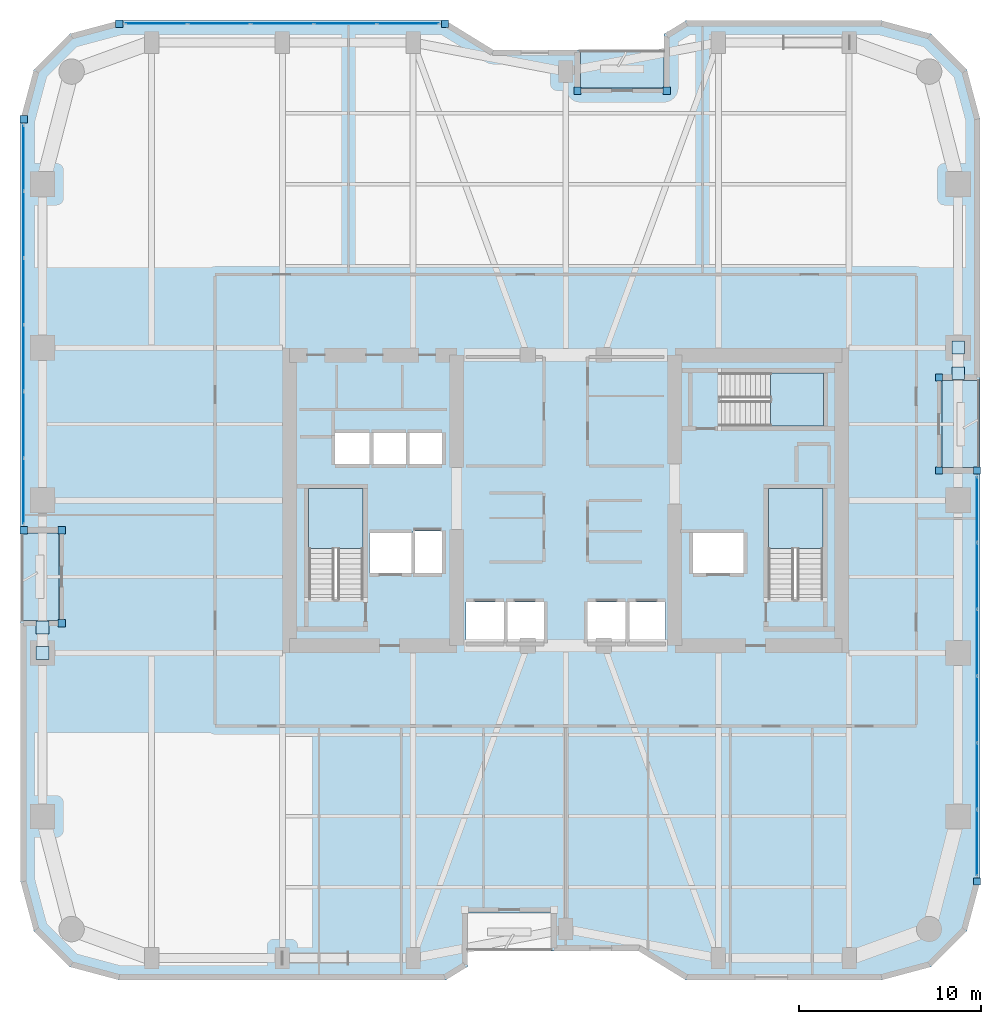
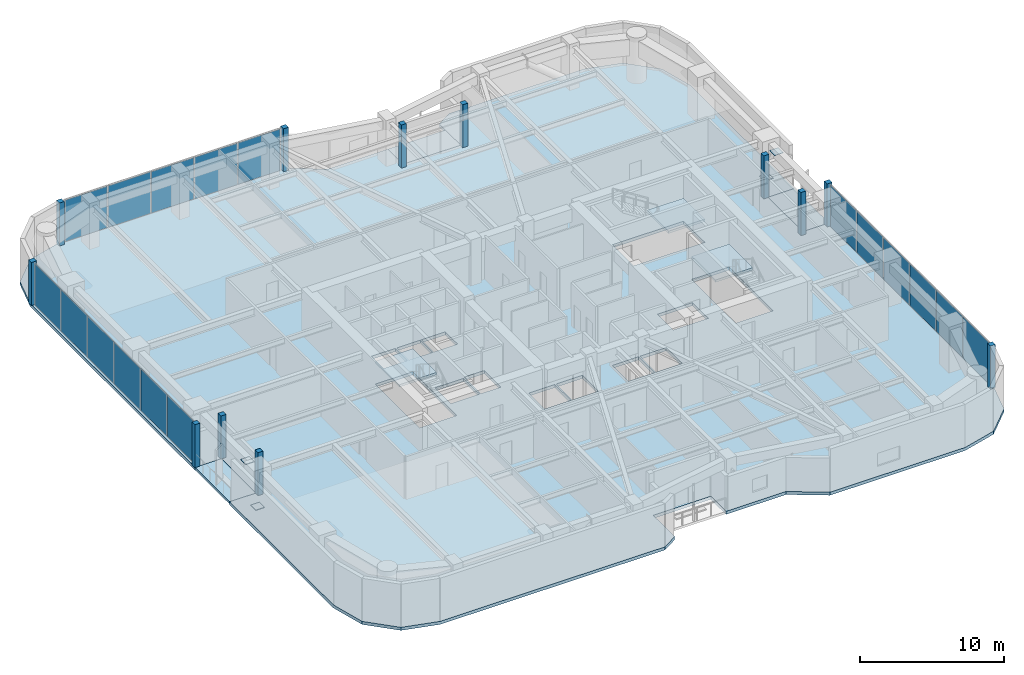
# One storey, part 16 of 24: 33 plates, 7 slabs, 6 elements without a shape of their own.
"""IFC4 building model written with IfcOpenShell, lengths in metres."""

from ifc_helpers import new_model, si_unit, direction, frame, origin, origin_2d, place, context, subcontext, project, spatial, polyline, rectangle, outline, extrude, material, layer, layer_set, type_object, element, aggregate, save


model = new_model("IFC4")

# Units and contexts
model_context = context("Model", 3, precision=1e-05, world=origin(), true_north=direction((0.0, 1.0)))
body_context = subcontext(model_context, "Body", "Model", "MODEL_VIEW")
ifc_project = project(units=[si_unit("LENGTHUNIT", "METRE"), si_unit("AREAUNIT", "SQUARE_METRE"), si_unit("VOLUMEUNIT", "CUBIC_METRE"), si_unit("PLANEANGLEUNIT", "RADIAN"), si_unit("MASSUNIT", "GRAM", prefix="KILO")], contexts=[model_context])

# Site, building, storey
site_placement = place(None, origin())
site = spatial("IfcSite", under=ifc_project, at=site_placement, CompositionType="ELEMENT")
building_placement = place(site_placement, origin())
building = spatial("IfcBuilding", under=site, at=building_placement, Name="Kiyonajd Concourse Tower", CompositionType="ELEMENT")
storey_placement = place(building_placement, frame((0.0, 0.0, 109.199951171875)))
storey = spatial("IfcBuildingStorey", under=building, at=storey_placement, Name="L28", CompositionType="ELEMENT", Elevation=109.199951171875)

# Plates
ifc_material_1 = material(Name="Steel ASTM A572 Grade 50", Category="steel")
ifc_layer_1 = layer(ifc_material_1, 0.028076171875)
ifc_layer_set_1 = layer_set([ifc_layer_1], Name="Steel ASTM A572 Grade 50")
plate_type_1 = type_object("IfcPlateType", Name="PL-CAP-450", PredefinedType="USERDEFINED", material=ifc_layer_set_1)
for number, where, z_axis, x_axis, name in (
    (1, (19.199951171875, 27.59521484375, 0.27587890625), (0.0, 0.0, 1.0), (1.0, 0.0, 0.0), "L28 Hollow Brace End Cap Plate PBW"),
    (2, (19.199951171875, 29.004638671875, 3.2861328125), (0.0, 0.0, 1.0), (1.0, 0.0, 0.0), "L28 Hollow Brace Top Cap Plate PBW"),
    (3, (69.60009765625, 44.40478515625, 0.27587890625), (0.0, 0.0, 1.0), (1.0, 0.0, 0.0), "L28 Hollow Brace End Cap Plate PBE"),
    (4, (69.60009765625, 42.995361328125, 3.2861328125), (0.0, 0.0, 1.0), (1.0, 0.0, 0.0), "L28 Hollow Brace Top Cap Plate PBE"),
):
    element("IfcPlate", number, at=place(storey_placement, frame(where, z_axis=z_axis, x_axis=x_axis)), inside=storey, type_object=plate_type_1, Name=name, ObjectType="CAP PLATE", PredefinedType="USERDEFINED", context=body_context, shape_type="SweptSolid", body=[
        extrude(rectangle(XDim=0.7099609375, YDim=0.7099609375, at=origin_2d()), origin(), (0.0, 0.0, 1.0), 0.028076171875),
    ])

# Curtain wall, plates
ifc_material_2 = material(Name="Thermally Broken Anodised Aluminium", Category="aluminium")
ifc_layer_2 = layer(ifc_material_2, 0.179931640625)
ifc_layer_set_2 = layer_set([ifc_layer_2], Name="Thermally Broken Anodised Aluminium")
curtain_wall_type = type_object("IfcCurtainWallType", Name="CW-SYS-03", PredefinedType="NOTDEFINED", material=ifc_layer_set_2)
curtain_wall_1_placement = place(storey_placement, origin())
curtain_wall_1 = element("IfcCurtainWall", 5, at=curtain_wall_1_placement, inside=storey, type_object=curtain_wall_type, Name="L28 Unitised Curtain Wall CW3", PredefinedType="NOTDEFINED")
ifc_material_3 = material(Name="Double Low-E Insulated Glass", Category="glass")
ifc_layer_3 = layer(ifc_material_3, 0.033935546875)
ifc_layer_set_3 = layer_set([ifc_layer_3], Name="Double Low-E Insulated Glass")
plate_type_2 = type_object("IfcPlateType", Name="PL-CW-VIS34", PredefinedType="CURTAIN_PANEL", material=ifc_layer_set_3)
plate_1_placement = place(storey_placement, frame((18.159912109375, 36.5029296875, 0.06494140625), z_axis=(0.0, 0.0, 1.0), x_axis=(0.0, 1.0, 0.0)))
plate_1 = element("IfcPlate", 6, at=plate_1_placement, type_object=plate_type_2, Name="CW3 panel 1.1", PredefinedType="CURTAIN_PANEL", context=body_context, shape_type="SweptSolid", body=[
    extrude(rectangle(XDim=3.57568359375, YDim=0.033935546875, at=origin_2d()), origin(), (0.0, 0.0, 1.0), 3.510009765625),
])
plate_2_placement = place(storey_placement, frame((18.159912109375, 40.15966796875, 0.06494140625), z_axis=(0.0, 0.0, 1.0), x_axis=(0.0, 1.0, 0.0)))
plate_2 = element("IfcPlate", 7, at=plate_2_placement, type_object=plate_type_2, Name="CW3 panel 2.1", PredefinedType="CURTAIN_PANEL", context=body_context, shape_type="SweptSolid", body=[
    extrude(rectangle(XDim=3.608154296875, YDim=0.033935546875, at=origin_2d()), origin(), (0.0, 0.0, 1.0), 3.510009765625),
])
plate_3_placement = place(storey_placement, frame((18.159912109375, 43.832763671875, 0.06494140625), z_axis=(0.0, 0.0, 1.0), x_axis=(0.0, 1.0, 0.0)))
plate_3 = element("IfcPlate", 8, at=plate_3_placement, type_object=plate_type_2, Name="CW3 panel 3.1", PredefinedType="CURTAIN_PANEL", context=body_context, shape_type="SweptSolid", body=[
    extrude(rectangle(XDim=3.608154296875, YDim=0.033935546875, at=origin_2d()), origin(), (0.0, 0.0, 1.0), 3.510009765625),
])
plate_4_placement = place(storey_placement, frame((18.159912109375, 47.506103515625, 0.06494140625), z_axis=(0.0, 0.0, 1.0), x_axis=(0.0, 1.0, 0.0)))
plate_4 = element("IfcPlate", 9, at=plate_4_placement, type_object=plate_type_2, Name="CW3 panel 4.1", PredefinedType="CURTAIN_PANEL", context=body_context, shape_type="SweptSolid", body=[
    extrude(rectangle(XDim=3.608154296875, YDim=0.033935546875, at=origin_2d()), origin(), (0.0, 0.0, 1.0), 3.510009765625),
])
plate_5_placement = place(storey_placement, frame((18.159912109375, 51.17919921875, 0.06494140625), z_axis=(0.0, 0.0, 1.0), x_axis=(0.0, 1.0, 0.0)))
plate_5 = element("IfcPlate", 10, at=plate_5_placement, type_object=plate_type_2, Name="CW3 panel 5.1", PredefinedType="CURTAIN_PANEL", context=body_context, shape_type="SweptSolid", body=[
    extrude(rectangle(XDim=3.608154296875, YDim=0.033935546875, at=origin_2d()), origin(), (0.0, 0.0, 1.0), 3.510009765625),
])
plate_6_placement = place(storey_placement, frame((18.159912109375, 54.836181640625, 0.06494140625), z_axis=(0.0, 0.0, 1.0), x_axis=(0.0, 1.0, 0.0)))
plate_6 = element("IfcPlate", 11, at=plate_6_placement, type_object=plate_type_2, Name="CW3 panel 6.1", PredefinedType="CURTAIN_PANEL", context=body_context, shape_type="SweptSolid", body=[
    extrude(rectangle(XDim=3.57568359375, YDim=0.033935546875, at=origin_2d()), origin(), (0.0, 0.0, 1.0), 3.510009765625),
])
aggregate(curtain_wall_1, [plate_1, plate_2, plate_3, plate_4, plate_5, plate_6])

curtain_wall_2_placement = place(storey_placement, origin())
curtain_wall_2 = element("IfcCurtainWall", 12, at=curtain_wall_2_placement, inside=storey, type_object=curtain_wall_type, Name="L28 Unitised Curtain Wall CW3", PredefinedType="NOTDEFINED")
plate_7_placement = place(storey_placement, frame((25.462646484375, 62.239990234375, 0.06494140625), z_axis=(0.0, 0.0, 1.0), x_axis=(1.0, 0.0, 0.0)))
plate_7 = element("IfcPlate", 13, at=plate_7_placement, type_object=plate_type_2, Name="CW3 panel 1.1", PredefinedType="CURTAIN_PANEL", context=body_context, shape_type="SweptSolid", body=[
    extrude(rectangle(XDim=3.373291015625, YDim=0.033935546875, at=origin_2d()), origin(), (0.0, 0.0, 1.0), 3.510009765625),
])
plate_8_placement = place(storey_placement, frame((28.917236328125, 62.239990234375, 0.06494140625), z_axis=(0.0, 0.0, 1.0), x_axis=(1.0, 0.0, 0.0)))
plate_8 = element("IfcPlate", 14, at=plate_8_placement, type_object=plate_type_2, Name="CW3 panel 2.1", PredefinedType="CURTAIN_PANEL", context=body_context, shape_type="SweptSolid", body=[
    extrude(rectangle(XDim=3.40576171875, YDim=0.033935546875, at=origin_2d()), origin(), (0.0, 0.0, 1.0), 3.510009765625),
])
plate_9_placement = place(storey_placement, frame((32.387939453125, 62.239990234375, 0.06494140625), z_axis=(0.0, 0.0, 1.0), x_axis=(1.0, 0.0, 0.0)))
plate_9 = element("IfcPlate", 15, at=plate_9_placement, type_object=plate_type_2, Name="CW3 panel 3.1", PredefinedType="CURTAIN_PANEL", context=body_context, shape_type="SweptSolid", body=[
    extrude(rectangle(XDim=3.40576171875, YDim=0.033935546875, at=origin_2d()), origin(), (0.0, 0.0, 1.0), 3.510009765625),
])
plate_10_placement = place(storey_placement, frame((35.858642578125, 62.239990234375, 0.06494140625), z_axis=(0.0, 0.0, 1.0), x_axis=(1.0, 0.0, 0.0)))
plate_10 = element("IfcPlate", 16, at=plate_10_placement, type_object=plate_type_2, Name="CW3 panel 4.1", PredefinedType="CURTAIN_PANEL", context=body_context, shape_type="SweptSolid", body=[
    extrude(rectangle(XDim=3.40576171875, YDim=0.033935546875, at=origin_2d()), origin(), (0.0, 0.0, 1.0), 3.510009765625),
])
plate_11_placement = place(storey_placement, frame((39.31298828125, 62.239990234375, 0.06494140625), z_axis=(0.0, 0.0, 1.0), x_axis=(1.0, 0.0, 0.0)))
plate_11 = element("IfcPlate", 17, at=plate_11_placement, type_object=plate_type_2, Name="CW3 panel 5.1", PredefinedType="CURTAIN_PANEL", context=body_context, shape_type="SweptSolid", body=[
    extrude(rectangle(XDim=3.373291015625, YDim=0.033935546875, at=origin_2d()), origin(), (0.0, 0.0, 1.0), 3.510009765625),
])
aggregate(curtain_wall_2, [plate_7, plate_8, plate_9, plate_10, plate_11])

curtain_wall_3_placement = place(storey_placement, origin())
curtain_wall_3 = element("IfcCurtainWall", 18, at=curtain_wall_3_placement, inside=storey, type_object=curtain_wall_type, Name="L28 Unitised Curtain Wall CW3", PredefinedType="NOTDEFINED")
plate_12_placement = place(storey_placement, frame((70.639892578125, 35.4970703125, 0.06494140625), z_axis=(0.0, 0.0, 1.0), x_axis=(0.0, -1.0, 0.0)))
plate_12 = element("IfcPlate", 19, at=plate_12_placement, type_object=plate_type_2, Name="CW3 panel 1.1", PredefinedType="CURTAIN_PANEL", context=body_context, shape_type="SweptSolid", body=[
    extrude(rectangle(XDim=3.57568359375, YDim=0.033935546875, at=origin_2d()), origin(), (0.0, 0.0, 1.0), 3.510009765625),
])
plate_13_placement = place(storey_placement, frame((70.639892578125, 31.84033203125, 0.06494140625), z_axis=(0.0, 0.0, 1.0), x_axis=(0.0, -1.0, 0.0)))
plate_13 = element("IfcPlate", 20, at=plate_13_placement, type_object=plate_type_2, Name="CW3 panel 2.1", PredefinedType="CURTAIN_PANEL", context=body_context, shape_type="SweptSolid", body=[
    extrude(rectangle(XDim=3.608154296875, YDim=0.033935546875, at=origin_2d()), origin(), (0.0, 0.0, 1.0), 3.510009765625),
])
plate_14_placement = place(storey_placement, frame((70.639892578125, 28.167236328125, 0.06494140625), z_axis=(0.0, 0.0, 1.0), x_axis=(0.0, -1.0, 0.0)))
plate_14 = element("IfcPlate", 21, at=plate_14_placement, type_object=plate_type_2, Name="CW3 panel 3.1", PredefinedType="CURTAIN_PANEL", context=body_context, shape_type="SweptSolid", body=[
    extrude(rectangle(XDim=3.608154296875, YDim=0.033935546875, at=origin_2d()), origin(), (0.0, 0.0, 1.0), 3.510009765625),
])
plate_15_placement = place(storey_placement, frame((70.639892578125, 24.493896484375, 0.06494140625), z_axis=(0.0, 0.0, 1.0), x_axis=(0.0, -1.0, 0.0)))
plate_15 = element("IfcPlate", 22, at=plate_15_placement, type_object=plate_type_2, Name="CW3 panel 4.1", PredefinedType="CURTAIN_PANEL", context=body_context, shape_type="SweptSolid", body=[
    extrude(rectangle(XDim=3.608154296875, YDim=0.033935546875, at=origin_2d()), origin(), (0.0, 0.0, 1.0), 3.510009765625),
])
plate_16_placement = place(storey_placement, frame((70.639892578125, 20.82080078125, 0.06494140625), z_axis=(0.0, 0.0, 1.0), x_axis=(0.0, -1.0, 0.0)))
plate_16 = element("IfcPlate", 23, at=plate_16_placement, type_object=plate_type_2, Name="CW3 panel 5.1", PredefinedType="CURTAIN_PANEL", context=body_context, shape_type="SweptSolid", body=[
    extrude(rectangle(XDim=3.608154296875, YDim=0.033935546875, at=origin_2d()), origin(), (0.0, 0.0, 1.0), 3.510009765625),
])
plate_17_placement = place(storey_placement, frame((70.639892578125, 17.163818359375, 0.06494140625), z_axis=(0.0, 0.0, 1.0), x_axis=(0.0, -1.0, 0.0)))
plate_17 = element("IfcPlate", 24, at=plate_17_placement, type_object=plate_type_2, Name="CW3 panel 6.1", PredefinedType="CURTAIN_PANEL", context=body_context, shape_type="SweptSolid", body=[
    extrude(rectangle(XDim=3.57568359375, YDim=0.033935546875, at=origin_2d()), origin(), (0.0, 0.0, 1.0), 3.510009765625),
])
aggregate(curtain_wall_3, [plate_12, plate_13, plate_14, plate_15, plate_16, plate_17])

# Plates
ifc_layer_4 = layer(ifc_material_2, 0.39990234375)
ifc_layer_set_4 = layer_set([ifc_layer_4], Name="Thermally Broken Anodised Aluminium")
plate_type_3 = type_object("IfcPlateType", Name="PL-JMB-400", PredefinedType="USERDEFINED", material=ifc_layer_set_4)
for number, where, z_axis, x_axis, name in (
    (25, (20.260009765625, 29.239990234375, 0.0), (0.0, 0.0, 1.0), (1.0, 0.0, 0.0), "L28 Facade Jamb Closure Plate 01"),
    (26, (20.260009765625, 34.360107421875, 0.0), (0.0, 0.0, 1.0), (1.0, 0.0, 0.0), "L28 Facade Jamb Closure Plate 02"),
    (27, (18.159912109375, 34.360107421875, 0.0), (0.0, 0.0, 1.0), (1.0, 0.0, 0.0), "L28 Facade Jamb Closure Plate 03"),
    (28, (18.159912109375, 56.97900390625, 0.0), (0.0, 0.0, 1.0), (1.0, 0.0, 0.0), "L28 Facade Jamb Closure Plate 04"),
    (29, (23.421142578125, 62.239990234375, 0.0), (0.0, 0.0, 1.0), (1.0, 0.0, 0.0), "L28 Facade Jamb Closure Plate 05"),
    (30, (41.354736328125, 62.239990234375, 0.0), (0.0, 0.0, 1.0), (1.0, 0.0, 0.0), "L28 Facade Jamb Closure Plate 06"),
    (31, (48.639892578125, 58.5400390625, 0.0), (0.0, 0.0, 1.0), (1.0, 0.0, 0.0), "L28 Facade Jamb Closure Plate 07"),
    (32, (53.56005859375, 58.5400390625, 0.0), (0.0, 0.0, 1.0), (1.0, 0.0, 0.0), "L28 Facade Jamb Closure Plate 08"),
    (33, (68.5400390625, 42.760009765625, 0.0), (0.0, 0.0, 1.0), (1.0, 0.0, 0.0), "L28 Facade Jamb Closure Plate 09"),
    (34, (68.5400390625, 37.639892578125, 0.0), (0.0, 0.0, 1.0), (1.0, 0.0, 0.0), "L28 Facade Jamb Closure Plate 10"),
    (35, (70.639892578125, 37.639892578125, 0.0), (0.0, 0.0, 1.0), (1.0, 0.0, 0.0), "L28 Facade Jamb Closure Plate 11"),
    (36, (70.639892578125, 15.02099609375, 0.0), (0.0, 0.0, 1.0), (1.0, 0.0, 0.0), "L28 Facade Jamb Closure Plate 12"),
):
    element("IfcPlate", number, at=place(storey_placement, frame(where, z_axis=z_axis, x_axis=x_axis)), inside=storey, type_object=plate_type_3, Name=name, ObjectType="JAMB PLATE", PredefinedType="USERDEFINED", context=body_context, shape_type="SweptSolid", body=[
        extrude(rectangle(XDim=0.39990234375, YDim=0.39990234375, at=origin_2d()), origin(), (0.0, 0.0, 1.0), 3.639892578125),
    ])

# Stair, slab
ifc_material_4 = material(Name="Concrete C40/50", Category="concrete")
stair_type = type_object("IfcStairType", Name="ST-DLG-22R", PredefinedType="HALF_TURN_STAIR", material=ifc_material_4)
stair_1_placement = place(storey_placement, origin())
stair_1 = element("IfcStair", 37, at=stair_1_placement, inside=storey, type_object=stair_type, Name="L28 Protected Exit Stair ST1", PredefinedType="HALF_TURN_STAIR")
ifc_layer_5 = layer(ifc_material_4, 0.199951171875)
ifc_layer_set_5 = layer_set([ifc_layer_5], Name="Concrete C40/50")
slab_type_1 = type_object("IfcSlabType", Name="SL-LND-200", PredefinedType="LANDING", material=ifc_layer_set_5)
slab_1_placement = place(storey_placement, frame((0.0, 0.0, 1.75)))
slab_1 = element("IfcSlab", 38, at=slab_1_placement, type_object=slab_type_1, Name="ST1 landing 1", PredefinedType="LANDING", context=body_context, shape_type="SweptSolid", body=[
    extrude(outline(polyline([(36.85009765625, 33.35009765625), (36.85009765625, 36.64990234375), (33.85009765625, 36.64990234375), (33.85009765625, 33.35009765625), (36.85009765625, 33.35009765625)])), origin(), (0.0, 0.0, 1.0), 0.199951171875),
])
aggregate(stair_1, [slab_1])

stair_2_placement = place(storey_placement, origin())
stair_2 = element("IfcStair", 39, at=stair_2_placement, inside=storey, type_object=stair_type, Name="L28 Protected Exit Stair ST2", PredefinedType="HALF_TURN_STAIR")
slab_2_placement = place(storey_placement, frame((0.0, 0.0, 1.75)))
slab_2 = element("IfcSlab", 40, at=slab_2_placement, type_object=slab_type_1, Name="ST2 landing 1", PredefinedType="LANDING", context=body_context, shape_type="SweptSolid", body=[
    extrude(outline(polyline([(62.14990234375, 33.35009765625), (62.14990234375, 36.64990234375), (59.14990234375, 36.64990234375), (59.14990234375, 33.35009765625), (62.14990234375, 33.35009765625)])), origin(), (0.0, 0.0, 1.0), 0.199951171875),
])
aggregate(stair_2, [slab_2])

stair_3_placement = place(storey_placement, origin())
stair_3 = element("IfcStair", 41, at=stair_3_placement, inside=storey, type_object=stair_type, Name="L28 Protected Exit Stair ST3", PredefinedType="HALF_TURN_STAIR")
slab_3_placement = place(storey_placement, frame((0.0, 0.0, 1.75)))
slab_3 = element("IfcSlab", 42, at=slab_3_placement, type_object=slab_type_1, Name="ST3 landing 1", PredefinedType="LANDING", context=body_context, shape_type="SweptSolid", body=[
    extrude(outline(polyline([(59.280029296875, 40.080078125), (62.179931640625, 40.080078125), (62.179931640625, 43.02001953125), (59.280029296875, 43.02001953125), (59.280029296875, 40.080078125)])), origin(), (0.0, 0.0, 1.0), 0.199951171875),
])
aggregate(stair_3, [slab_3])

# Slabs
ifc_material_5 = material(Name="Precast concrete C50/60", Category="concrete")
ifc_layer_6 = layer(ifc_material_5, 0.199951171875)
ifc_layer_set_6 = layer_set([ifc_layer_6], Name="Precast concrete C50/60")
slab_type_2 = type_object("IfcSlabType", Name="SL-LOG-200", PredefinedType="FLOOR", material=ifc_layer_set_6)
slab_4_placement = place(storey_placement, frame((0.0, 0.0, -0.199951171875)))
element("IfcSlab", 43, at=slab_4_placement, inside=storey, type_object=slab_type_2, Name="L28 Recessed Engawa Loggia Terrace Slab LOG-N", PredefinedType="FLOOR", context=body_context, shape_type="SweptSolid", body=[
    extrude(outline(polyline([(48.800048828125, 58.699951171875), (53.39990234375, 58.699951171875), (53.39990234375, 60.800048828125), (48.800048828125, 60.800048828125), (48.800048828125, 58.699951171875)])), origin(), (0.0, 0.0, 1.0), 0.199951171875),
])
slab_5_placement = place(storey_placement, frame((0.0, 0.0, -0.199951171875)))
element("IfcSlab", 44, at=slab_5_placement, inside=storey, type_object=slab_type_2, Name="L28 Recessed Engawa Loggia Terrace Slab LOG-W", PredefinedType="FLOOR", context=body_context, shape_type="SweptSolid", body=[
    extrude(outline(polyline([(18.0, 29.39990234375), (20.10009765625, 29.39990234375), (20.10009765625, 34.199951171875), (18.0, 34.199951171875), (18.0, 29.39990234375)])), origin(), (0.0, 0.0, 1.0), 0.199951171875),
])
slab_6_placement = place(storey_placement, frame((0.0, 0.0, -0.199951171875)))
element("IfcSlab", 45, at=slab_6_placement, inside=storey, type_object=slab_type_2, Name="L28 Recessed Engawa Loggia Terrace Slab LOG-E", PredefinedType="FLOOR", context=body_context, shape_type="SweptSolid", body=[
    extrude(outline(polyline([(68.699951171875, 37.800048828125), (70.800048828125, 37.800048828125), (70.800048828125, 42.60009765625), (68.699951171875, 42.60009765625), (68.699951171875, 37.800048828125)])), origin(), (0.0, 0.0, 1.0), 0.199951171875),
])
ifc_layer_7 = layer(ifc_material_4, 0.260009765625)
ifc_layer_set_7 = layer_set([ifc_layer_7], Name="Concrete C40/50")
slab_type_3 = type_object("IfcSlabType", Name="SL-TWR-260", PredefinedType="FLOOR", material=ifc_layer_set_7)
slab_7_placement = place(storey_placement, frame((0.0, 0.0, -0.260009765625)))
element("IfcSlab", 46, at=slab_7_placement, inside=storey, type_object=slab_type_3, Name="L28 Tower Conditioned Floor Slab", PredefinedType="FLOOR", context=body_context, shape_type="SweptSolid", body=[
    extrude(outline(polyline([(18.722900390625, 12.300048828125), (18.0, 15.0), (18.0, 29.39990234375), (20.10009765625, 29.39990234375), (20.10009765625, 34.199951171875), (18.0, 34.199951171875), (18.0, 57.0), (18.722900390625, 59.699951171875), (20.699951171875, 61.677001953125), (23.39990234375, 62.39990234375), (41.39990234375, 62.39990234375), (44.0, 60.800048828125), (48.800048828125, 60.800048828125), (48.800048828125, 58.699951171875), (53.39990234375, 58.699951171875), (53.39990234375, 61.662109375), (54.60009765625, 62.39990234375), (65.39990234375, 62.39990234375), (68.10009765625, 61.677001953125), (70.076904296875, 59.699951171875), (70.800048828125, 57.0), (70.800048828125, 42.60009765625), (68.699951171875, 42.60009765625), (68.699951171875, 37.800048828125), (70.800048828125, 37.800048828125), (70.800048828125, 15.0), (70.076904296875, 12.300048828125), (68.10009765625, 10.322998046875), (65.39990234375, 9.60009765625), (54.60009765625, 9.60009765625), (52.0, 11.199951171875), (47.199951171875, 11.199951171875), (47.199951171875, 13.300048828125), (42.60009765625, 13.300048828125), (42.60009765625, 10.337890625), (41.39990234375, 9.60009765625), (23.39990234375, 9.60009765625), (20.699951171875, 10.322998046875), (18.722900390625, 12.300048828125)]), holes=[polyline([(44.60009765625, 28.199951171875), (42.5, 28.199951171875), (42.5, 30.39990234375), (44.60009765625, 30.39990234375), (44.60009765625, 28.199951171875)]), polyline([(37.199951171875, 32.0), (37.199951171875, 34.199951171875), (39.5, 34.199951171875), (39.5, 32.0), (37.199951171875, 32.0)]), polyline([(39.60009765625, 32.0), (39.60009765625, 34.300048828125), (41.199951171875, 34.300048828125), (41.199951171875, 32.0), (39.60009765625, 32.0)]), polyline([(36.85009765625, 30.550048828125), (33.85009765625, 30.550048828125), (33.85009765625, 36.64990234375), (36.85009765625, 36.64990234375), (36.85009765625, 30.550048828125)]), polyline([(35.300048828125, 38.0), (35.300048828125, 39.699951171875), (37.199951171875, 39.699951171875), (37.199951171875, 38.0), (35.300048828125, 38.0)]), polyline([(37.300048828125, 38.0), (37.300048828125, 39.699951171875), (39.199951171875, 39.699951171875), (39.199951171875, 38.0), (37.300048828125, 38.0)]), polyline([(41.199951171875, 38.0), (39.300048828125, 38.0), (39.300048828125, 39.699951171875), (41.199951171875, 39.699951171875), (41.199951171875, 38.0)]), polyline([(44.699951171875, 28.199951171875), (44.699951171875, 30.39990234375), (46.800048828125, 30.39990234375), (46.800048828125, 28.199951171875), (44.699951171875, 28.199951171875)]), polyline([(49.199951171875, 28.199951171875), (49.199951171875, 30.39990234375), (51.300048828125, 30.39990234375), (51.300048828125, 28.199951171875), (49.199951171875, 28.199951171875)]), polyline([(51.39990234375, 28.199951171875), (51.39990234375, 30.39990234375), (53.5, 30.39990234375), (53.5, 28.199951171875), (51.39990234375, 28.199951171875)]), polyline([(55.0, 32.0), (55.0, 34.199951171875), (57.800048828125, 34.199951171875), (57.800048828125, 32.0), (55.0, 32.0)]), polyline([(59.14990234375, 30.550048828125), (59.14990234375, 36.64990234375), (62.14990234375, 36.64990234375), (62.14990234375, 30.550048828125), (59.14990234375, 30.550048828125)]), polyline([(56.47998046875, 43.02001953125), (62.179931640625, 43.02001953125), (62.179931640625, 40.080078125), (56.47998046875, 40.080078125), (56.47998046875, 43.02001953125)])]), origin(), (0.0, 0.0, 1.0), 0.260009765625),
])

save(model, "model.ifc")
